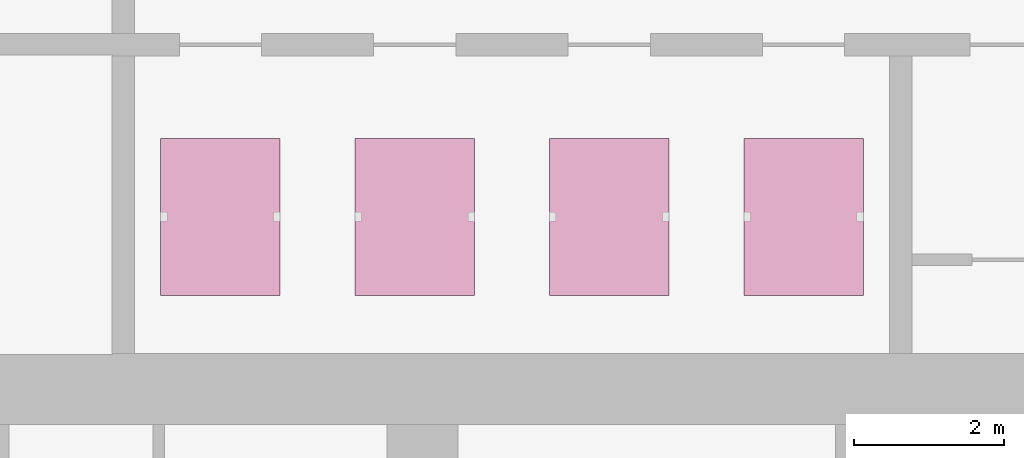
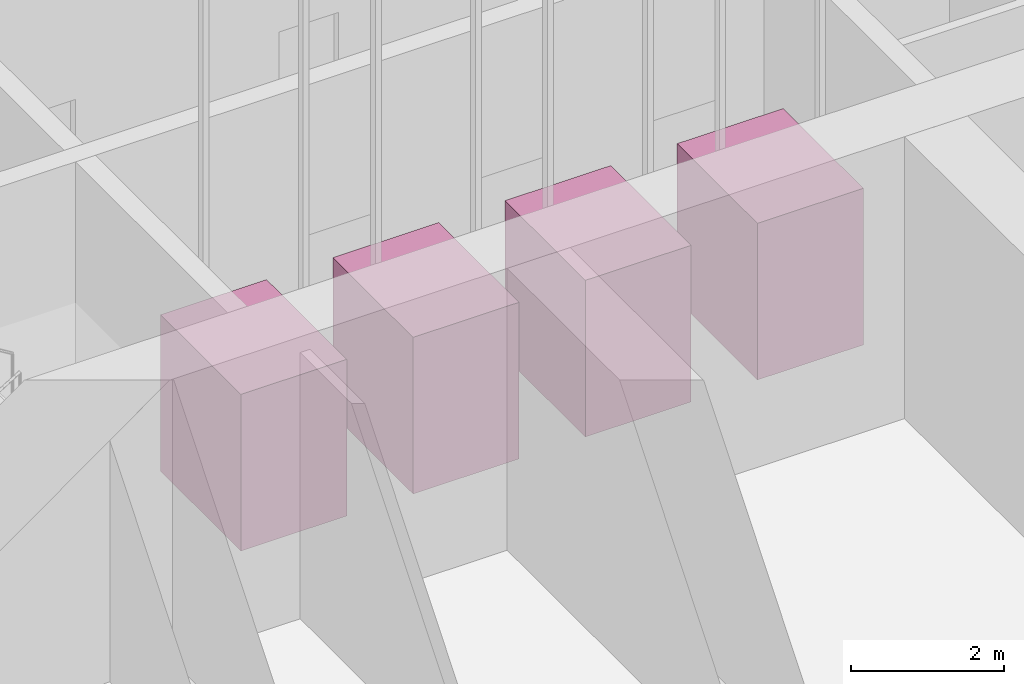
# One storey, part 24 of 32: 4 transport elements.
"""IFC4 building model written with IfcOpenShell, lengths in metres."""

from ifc_helpers import new_model, si_unit, direction, frame, origin, origin_2d, place, context, subcontext, project, spatial, rectangle, extrude, material, type_object, element, save


model = new_model("IFC4")

# Units and contexts
model_context = context("Model", 3, precision=1e-05, world=origin(), true_north=direction((0.0, 1.0)))
body_context = subcontext(model_context, "Body", "Model", "MODEL_VIEW")
ifc_project = project(units=[si_unit("LENGTHUNIT", "METRE"), si_unit("AREAUNIT", "SQUARE_METRE"), si_unit("VOLUMEUNIT", "CUBIC_METRE"), si_unit("PLANEANGLEUNIT", "RADIAN"), si_unit("MASSUNIT", "GRAM", prefix="KILO")], contexts=[model_context])

# Site, building, storey
site_placement = place(None, origin())
site = spatial("IfcSite", under=ifc_project, at=site_placement, CompositionType="ELEMENT")
building_placement = place(site_placement, origin())
building = spatial("IfcBuilding", under=site, at=building_placement, Name="Orbita Commons", CompositionType="ELEMENT")
storey_placement = place(building_placement, frame((0.0, 0.0, 140.35009765625)))
storey = spatial("IfcBuildingStorey", under=building, at=storey_placement, Name="L34", CompositionType="ELEMENT", Elevation=140.35009765625)

# Transport elements
ifc_material = material(Name="Stainless steel lift car", Category="steel")
transport_element_type = type_object("IfcTransportElementType", Name="Passenger lift, high zone 1600 kg", PredefinedType="ELEVATOR", material=ifc_material)
transport_element_1_placement = place(storey_placement, frame((27.300048828125, 28.10009765625, 0.0), z_axis=(0.0, 0.0, 1.0), x_axis=(1.0, 0.0, 0.0)))
element("IfcTransportElement", 1, at=transport_element_1_placement, inside=storey, type_object=transport_element_type, Name="P31 car", PredefinedType="ELEVATOR", context=body_context, shape_type="SweptSolid", body=[
    extrude(rectangle(XDim=1.60009765625, YDim=2.10009765625, at=origin_2d()), origin(), (0.0, 0.0, 1.0), 2.5),
])
transport_element_2_placement = place(storey_placement, frame((29.89990234375, 28.10009765625, 0.0), z_axis=(0.0, 0.0, 1.0), x_axis=(1.0, 0.0, 0.0)))
element("IfcTransportElement", 2, at=transport_element_2_placement, inside=storey, type_object=transport_element_type, Name="P32 car", PredefinedType="ELEVATOR", context=body_context, shape_type="SweptSolid", body=[
    extrude(rectangle(XDim=1.60009765625, YDim=2.10009765625, at=origin_2d()), origin(), (0.0, 0.0, 1.0), 2.5),
])
transport_element_3_placement = place(storey_placement, frame((32.5, 28.10009765625, 0.0), z_axis=(0.0, 0.0, 1.0), x_axis=(1.0, 0.0, 0.0)))
element("IfcTransportElement", 3, at=transport_element_3_placement, inside=storey, type_object=transport_element_type, Name="P33 car", PredefinedType="ELEVATOR", context=body_context, shape_type="SweptSolid", body=[
    extrude(rectangle(XDim=1.60009765625, YDim=2.10009765625, at=origin_2d()), origin(), (0.0, 0.0, 1.0), 2.5),
])
transport_element_4_placement = place(storey_placement, frame((35.10009765625, 28.10009765625, 0.0), z_axis=(0.0, 0.0, 1.0), x_axis=(1.0, 0.0, 0.0)))
element("IfcTransportElement", 4, at=transport_element_4_placement, inside=storey, type_object=transport_element_type, Name="P34 car", PredefinedType="ELEVATOR", context=body_context, shape_type="SweptSolid", body=[
    extrude(rectangle(XDim=1.60009765625, YDim=2.10009765625, at=origin_2d()), origin(), (0.0, 0.0, 1.0), 2.5),
])

save(model, "model.ifc")
